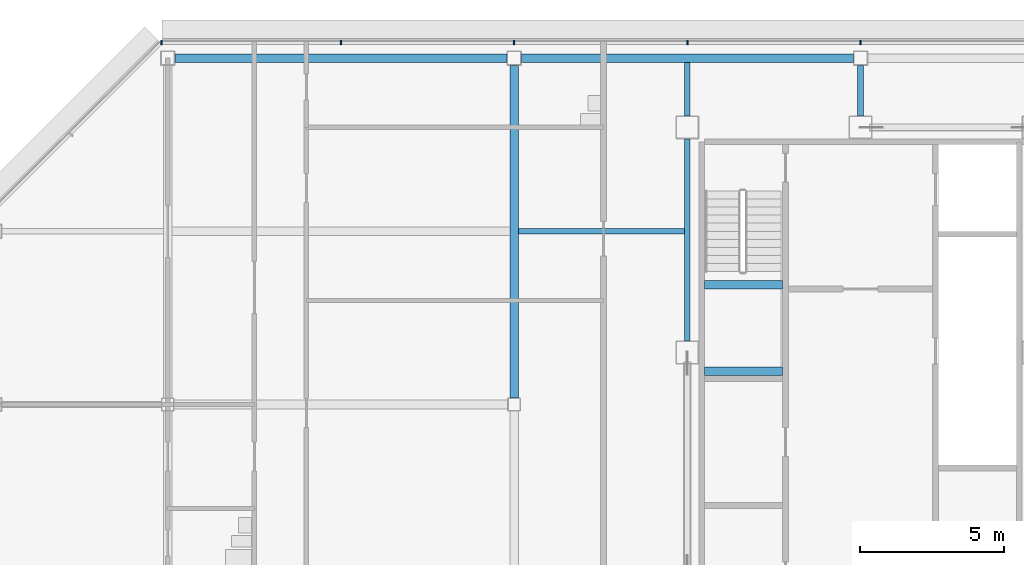
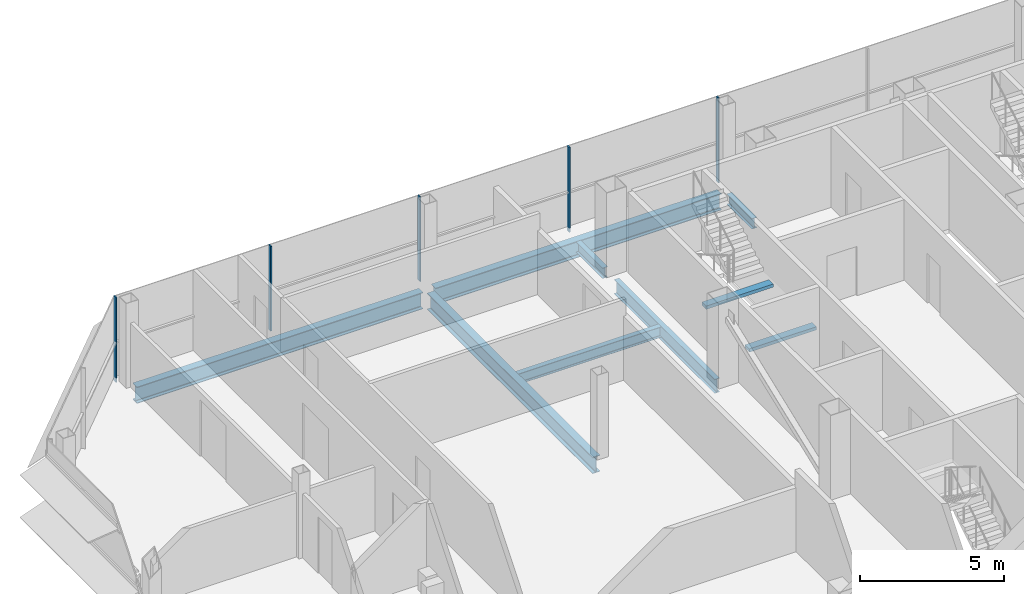
# One storey, part 16 of 31: 9 beams, 5 members, 1 element without a shape of its own.
"""IFC4 building model written with IfcOpenShell, lengths in metres."""

from ifc_helpers import new_model, si_unit, direction, frame, origin, origin_2d, place, context, subcontext, project, spatial, rectangle, i_section, extrude, material, material_profile, profile_set, type_object, element, aggregate, save


model = new_model("IFC4")

# Units and contexts
model_context = context("Model", 3, precision=1e-05, world=origin(), true_north=direction((0.0, 1.0)))
body_context = subcontext(model_context, "Body", "Model", "MODEL_VIEW")
ifc_project = project(units=[si_unit("LENGTHUNIT", "METRE"), si_unit("AREAUNIT", "SQUARE_METRE"), si_unit("VOLUMEUNIT", "CUBIC_METRE"), si_unit("PLANEANGLEUNIT", "RADIAN"), si_unit("MASSUNIT", "GRAM", prefix="KILO")], contexts=[model_context])

# Site, building, storey
site_placement = place(None, origin())
site = spatial("IfcSite", under=ifc_project, at=site_placement, CompositionType="ELEMENT")
building_placement = place(site_placement, origin())
building = spatial("IfcBuilding", under=site, at=building_placement, Name="Sorahane Residences", CompositionType="ELEMENT")
storey_placement = place(building_placement, frame((0.0, 0.0, 319.60009765625)))
storey = spatial("IfcBuildingStorey", under=building, at=storey_placement, Name="L76", CompositionType="ELEMENT", Elevation=319.60009765625)

# Curtain wall, members
ifc_material_1 = material(Name="Dark low-e glass and black anodised aluminium", Category="aluminium")
curtain_wall_type = type_object("IfcCurtainWallType", Name="Curtain wall CW-1 Typical unitised wall", PredefinedType="NOTDEFINED", material=ifc_material_1)
curtain_wall_placement = place(storey_placement, origin())
curtain_wall = element("IfcCurtainWall", 1, at=curtain_wall_placement, inside=storey, type_object=curtain_wall_type, Name="CW-1 curtain wall L76 N1", PredefinedType="NOTDEFINED")
ifc_material_2 = material(Name="Black anodised aluminium", Category="aluminium")
ifc_material_profile_1 = material_profile(ifc_material_2, rectangle(XDim=0.159912109375, YDim=0.050048828125, at=origin_2d()), Name="Curtain wall mullion CW-1 black anodised aluminium 50x160")
ifc_profile_set_1 = profile_set([ifc_material_profile_1], Name="Black anodised aluminium")
member_type = type_object("IfcMemberType", Name="Curtain wall mullion CW-1 black anodised aluminium 50x160", PredefinedType="MULLION", material=ifc_profile_set_1)
member_1_placement = place(storey_placement, frame((12.0, 48.5400390625, -0.18017578125), z_axis=(0.0, 0.0, 1.0), x_axis=(0.0, 1.0, 0.0)))
member_1 = element("IfcMember", 2, at=member_1_placement, type_object=member_type, Name="CW-1 mullion L76 N1.6", PredefinedType="MULLION", context=body_context, shape_type="SweptSolid", body=[
    extrude(rectangle(XDim=0.159912109375, YDim=0.050048828125, at=origin_2d()), origin(), (0.0, 0.0, 1.0), 3.60009765625),
])
member_2_placement = place(storey_placement, frame((6.0, 48.5400390625, -0.18017578125), z_axis=(0.0, 0.0, 1.0), x_axis=(0.0, 1.0, 0.0)))
member_2 = element("IfcMember", 3, at=member_2_placement, type_object=member_type, Name="CW-1 mullion L76 N1.7", PredefinedType="MULLION", context=body_context, shape_type="SweptSolid", body=[
    extrude(rectangle(XDim=0.159912109375, YDim=0.050048828125, at=origin_2d()), origin(), (0.0, 0.0, 1.0), 3.60009765625),
])
member_3_placement = place(storey_placement, frame((0.0, 48.5400390625, -0.18017578125), z_axis=(0.0, 0.0, 1.0), x_axis=(0.0, 1.0, 0.0)))
member_3 = element("IfcMember", 4, at=member_3_placement, type_object=member_type, Name="CW-1 mullion L76 N1.8", PredefinedType="MULLION", context=body_context, shape_type="SweptSolid", body=[
    extrude(rectangle(XDim=0.159912109375, YDim=0.050048828125, at=origin_2d()), origin(), (0.0, 0.0, 1.0), 3.60009765625),
])
member_4_placement = place(storey_placement, frame((-6.0, 48.5400390625, -0.18017578125), z_axis=(0.0, 0.0, 1.0), x_axis=(0.0, 1.0, 0.0)))
member_4 = element("IfcMember", 5, at=member_4_placement, type_object=member_type, Name="CW-1 mullion L76 N1.9", PredefinedType="MULLION", context=body_context, shape_type="SweptSolid", body=[
    extrude(rectangle(XDim=0.159912109375, YDim=0.050048828125, at=origin_2d()), origin(), (0.0, 0.0, 1.0), 3.60009765625),
])
member_5_placement = place(storey_placement, frame((-12.2236328125, 48.5400390625, -0.18017578125), z_axis=(0.0, 0.0, 1.0), x_axis=(0.0, 1.0, 0.0)))
member_5 = element("IfcMember", 6, at=member_5_placement, type_object=member_type, Name="CW-1 mullion L76 N1.10", PredefinedType="MULLION", context=body_context, shape_type="SweptSolid", body=[
    extrude(rectangle(XDim=0.159912109375, YDim=0.050048828125, at=origin_2d()), origin(), (0.0, 0.0, 1.0), 3.60009765625),
])
aggregate(curtain_wall, [member_1, member_2, member_3, member_4, member_5])

# Beams
ifc_material_3 = material(Name="Concrete C40", Category="concrete")
ifc_material_profile_2 = material_profile(ifc_material_3, rectangle(XDim=0.300048828125, YDim=0.139892578125, at=origin_2d()), Name="300x140")
ifc_profile_set_2 = profile_set([ifc_material_profile_2], Name="Concrete C40")
beam_type_1 = type_object("IfcBeamType", Name="RC landing beam 300 x 140 Concrete C40", PredefinedType="BEAM", material=ifc_profile_set_2)
for number, where, z_axis, x_axis, name in (
    (7, (6.60009765625, 37.14990234375, 1.52978515625), (1.0, 0.0, 0.0), (0.0, 1.0, 0.0), "Landing beam"),
    (8, (6.60009765625, 40.14990234375, 1.52978515625), (1.0, 0.0, 0.0), (0.0, 1.0, 0.0), "Landing beam"),
):
    element("IfcBeam", number, at=place(storey_placement, frame(where, z_axis=z_axis, x_axis=x_axis)), inside=storey, type_object=beam_type_1, Name=name, PredefinedType="BEAM", context=body_context, shape_type="SweptSolid", body=[
        extrude(rectangle(XDim=0.300048828125, YDim=0.139892578125, at=origin_2d()), origin(), (0.0, 0.0, 1.0), 2.699951171875),
    ])
ifc_material_4 = material(Name="Steel Q355B", Category="steel")
ifc_material_profile_3 = material_profile(ifc_material_4, i_section(OverallWidth=0.199951171875, OverallDepth=0.449951171875, WebThickness=0.009033203125, FlangeThickness=0.013916015625, FilletRadius=0.02001953125, at=origin_2d()), Name="HN 450x200x9x14")
ifc_profile_set_3 = profile_set([ifc_material_profile_3], Name="Steel Q355B")
beam_type_2 = type_object("IfcBeamType", Name="Steel floor beam HN 450x200x9x14 Q355B", PredefinedType="BEAM", material=ifc_profile_set_3)
beam_1_placement = place(storey_placement, frame((6.0, 46.0, -0.405029296875), z_axis=(0.0, 1.0, 0.0), x_axis=(-1.0, 0.0, 0.0)))
element("IfcBeam", 9, at=beam_1_placement, inside=storey, type_object=beam_type_2, Name="Beam L76 036", PredefinedType="BEAM", context=body_context, shape_type="SweptSolid", body=[
    extrude(i_section(OverallWidth=0.199951171875, OverallDepth=0.449951171875, WebThickness=0.009033203125, FlangeThickness=0.013916015625, FilletRadius=0.02001953125, at=origin_2d()), origin(), (0.0, 0.0, 1.0), 1.85009765625),
])
beam_2_placement = place(storey_placement, frame((12.0, 46.0, -0.405029296875), z_axis=(0.0, 1.0, 0.0), x_axis=(-1.0, 0.0, 0.0)))
element("IfcBeam", 10, at=beam_2_placement, inside=storey, type_object=beam_type_2, Name="Beam L76 038", PredefinedType="BEAM", context=body_context, shape_type="SweptSolid", body=[
    extrude(i_section(OverallWidth=0.199951171875, OverallDepth=0.449951171875, WebThickness=0.009033203125, FlangeThickness=0.013916015625, FilletRadius=0.02001953125, at=origin_2d()), origin(), (0.0, 0.0, 1.0), 1.75),
])
beam_3_placement = place(storey_placement, frame((0.14990234375, 42.0, -0.405029296875), z_axis=(1.0, 0.0, 0.0), x_axis=(0.0, 1.0, 0.0)))
element("IfcBeam", 11, at=beam_3_placement, inside=storey, type_object=beam_type_2, Name="Beam L76 087", PredefinedType="BEAM", context=body_context, shape_type="SweptSolid", body=[
    extrude(i_section(OverallWidth=0.199951171875, OverallDepth=0.449951171875, WebThickness=0.009033203125, FlangeThickness=0.013916015625, FilletRadius=0.02001953125, at=origin_2d()), origin(), (0.0, 0.0, 1.0), 5.75),
])
ifc_material_5 = material(Name="Steel Q355B", Category="steel")
ifc_material_profile_4 = material_profile(ifc_material_5, i_section(OverallWidth=0.199951171875, OverallDepth=0.60009765625, WebThickness=0.010986328125, FlangeThickness=0.01708984375, FilletRadius=0.02392578125, at=origin_2d()), Name="HN 600x200x11x17")
ifc_profile_set_4 = profile_set([ifc_material_profile_4], Name="Steel Q355B")
beam_type_3 = type_object("IfcBeamType", Name="Steel floor beam HN 600x200x11x17 Q355B", PredefinedType="BEAM", material=ifc_profile_set_4)
beam_4_placement = place(storey_placement, frame((6.0, 38.199951171875, -0.47998046875), z_axis=(0.0, 1.0, 0.0), x_axis=(-1.0, 0.0, 0.0)))
element("IfcBeam", 12, at=beam_4_placement, inside=storey, type_object=beam_type_3, Name="Beam L76 035", PredefinedType="BEAM", context=body_context, shape_type="SweptSolid", body=[
    extrude(i_section(OverallWidth=0.199951171875, OverallDepth=0.60009765625, WebThickness=0.010986328125, FlangeThickness=0.01708984375, FilletRadius=0.02392578125, at=origin_2d()), origin(), (0.0, 0.0, 1.0), 7.0),
])
ifc_material_6 = material(Name="Steel Q355B", Category="steel")
ifc_material_profile_5 = material_profile(ifc_material_6, i_section(OverallWidth=0.300048828125, OverallDepth=0.699951171875, WebThickness=0.012939453125, FlangeThickness=0.02392578125, FilletRadius=0.028076171875, at=origin_2d()), Name="HN 700x300x13x24")
ifc_profile_set_5 = profile_set([ifc_material_profile_5], Name="Steel Q355B")
beam_type_4 = type_object("IfcBeamType", Name="Steel floor beam HN 700x300x13x24 Q355B", PredefinedType="BEAM", material=ifc_profile_set_5)
for number, where, z_axis, x_axis, name in (
    (13, (-11.75, 48.0, -0.530029296875), (1.0, 0.0, 0.0), (0.0, 1.0, 0.0), "Beam L76 015"),
    (14, (0.25, 48.0, -0.530029296875), (1.0, 0.0, 0.0), (0.0, 1.0, 0.0), "Beam L76 016"),
):
    element("IfcBeam", number, at=place(storey_placement, frame(where, z_axis=z_axis, x_axis=x_axis)), inside=storey, type_object=beam_type_4, Name=name, PredefinedType="BEAM", context=body_context, shape_type="SweptSolid", body=[
        extrude(i_section(OverallWidth=0.300048828125, OverallDepth=0.699951171875, WebThickness=0.012939453125, FlangeThickness=0.02392578125, FilletRadius=0.028076171875, at=origin_2d()), origin(), (0.0, 0.0, 1.0), 11.5),
    ])
beam_5_placement = place(storey_placement, frame((0.0, 36.22509765625, -0.530029296875), z_axis=(0.0, 1.0, 0.0), x_axis=(-1.0, 0.0, 0.0)))
element("IfcBeam", 15, at=beam_5_placement, inside=storey, type_object=beam_type_4, Name="Beam L76 031", PredefinedType="BEAM", context=body_context, shape_type="SweptSolid", body=[
    extrude(i_section(OverallWidth=0.300048828125, OverallDepth=0.699951171875, WebThickness=0.012939453125, FlangeThickness=0.02392578125, FilletRadius=0.028076171875, at=origin_2d()), origin(), (0.0, 0.0, 1.0), 11.52490234375),
])

save(model, "model.ifc")
